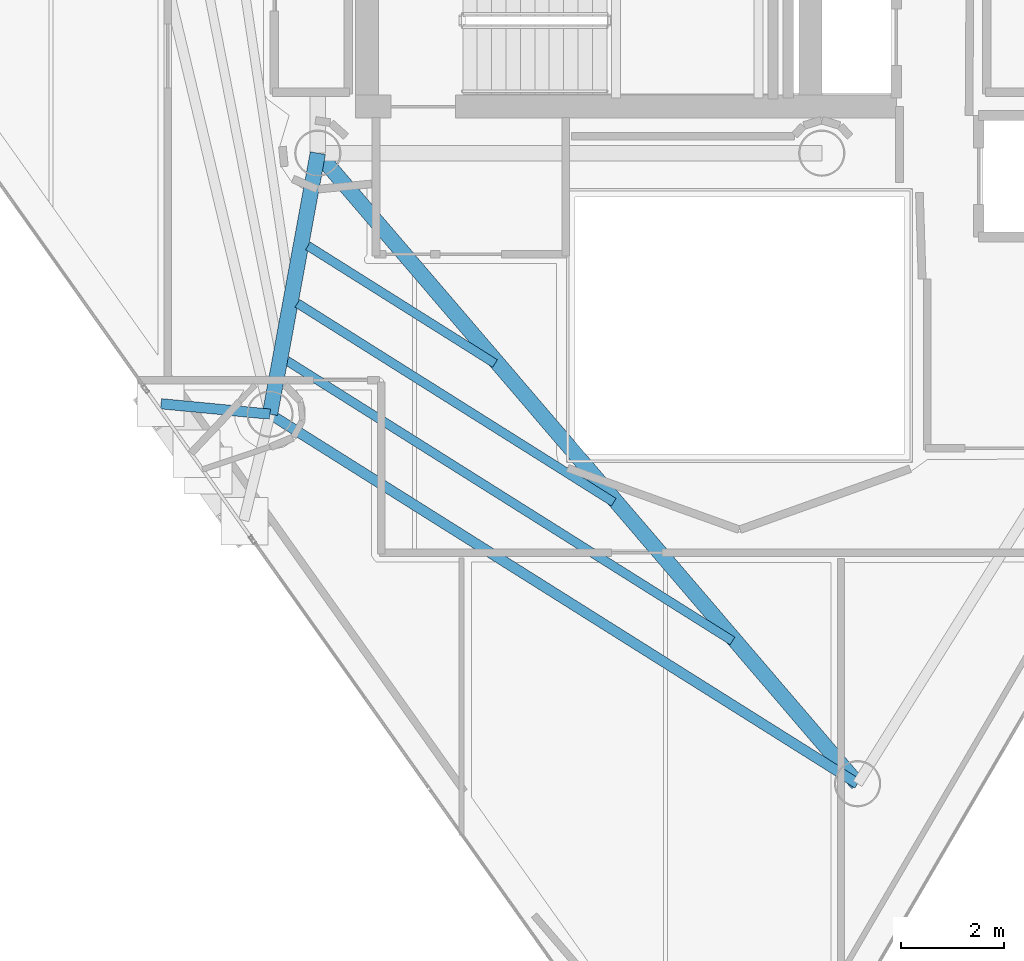
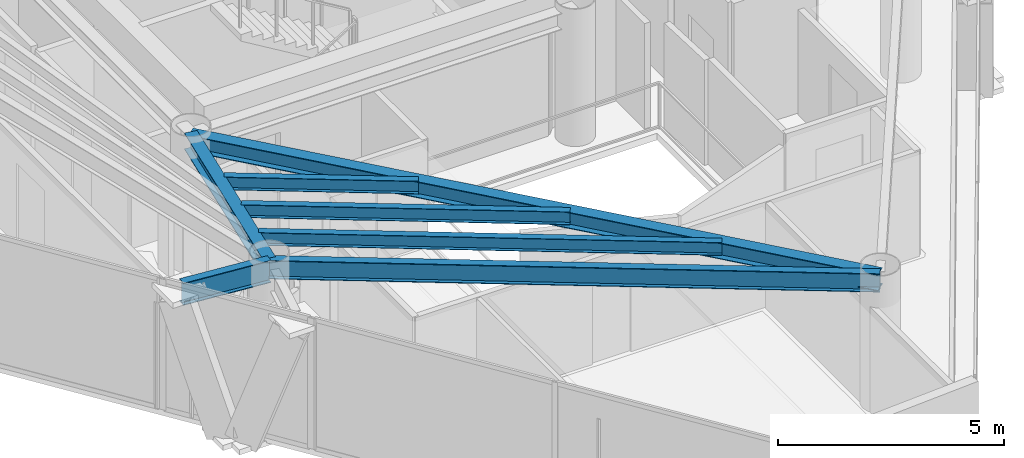
# One storey, part 3 of 22: 7 beams.
"""IFC4 building model written with IfcOpenShell, lengths in metres."""

from ifc_helpers import new_model, si_unit, direction, frame, origin, origin_2d, place, context, subcontext, project, spatial, i_section, extrude, material, material_profile, profile_set, type_object, element, save


model = new_model("IFC4")

# Units and contexts
model_context = context("Model", 3, precision=1e-05, world=origin(), true_north=direction((0.0, 1.0)))
body_context = subcontext(model_context, "Body", "Model", "MODEL_VIEW")
ifc_project = project(units=[si_unit("LENGTHUNIT", "METRE"), si_unit("AREAUNIT", "SQUARE_METRE"), si_unit("VOLUMEUNIT", "CUBIC_METRE"), si_unit("PLANEANGLEUNIT", "RADIAN"), si_unit("MASSUNIT", "GRAM", prefix="KILO")], contexts=[model_context])

# Site, building, storey
site_placement = place(None, origin())
site = spatial("IfcSite", under=ifc_project, at=site_placement, CompositionType="ELEMENT")
building_placement = place(site_placement, origin())
building = spatial("IfcBuilding", under=site, at=building_placement, Name="Qianvela Tower", CompositionType="ELEMENT")
storey_placement = place(building_placement, frame((0.0, 0.0, 299.10009765625)))
storey = spatial("IfcBuildingStorey", under=building, at=storey_placement, Name="L77", CompositionType="ELEMENT", Elevation=299.10009765625)

# Beams
ifc_material_1 = material(Name="Steel Q355B", Category="steel")
ifc_material_profile_1 = material_profile(ifc_material_1, i_section(OverallWidth=0.300048828125, OverallDepth=0.43994140625, WebThickness=0.010986328125, FlangeThickness=0.01806640625, at=origin_2d()), Name="HM440x300x11x18")
ifc_profile_set_1 = profile_set([ifc_material_profile_1], Name="Steel Q355B")
beam_type_1 = type_object("IfcBeamType", Name="BM-HM440-COLL", PredefinedType="BEAM", material=ifc_profile_set_1)
beam_1_placement = place(storey_placement, frame((28.60009765625, 23.85009765625, 3.2978515625), z_axis=(-0.180242432023, -0.983622216961, 0.0), x_axis=(0.983622216961, -0.180242432023, 0.0)))
element("IfcBeam", 1, at=beam_1_placement, inside=storey, type_object=beam_type_1, Name="L77 Radial Primary Floor Girder 4", PredefinedType="BEAM", context=body_context, shape_type="SweptSolid", body=[
    extrude(i_section(OverallWidth=0.300048828125, OverallDepth=0.43994140625, WebThickness=0.010986328125, FlangeThickness=0.01806640625, at=origin_2d()), origin(), (0.0, 0.0, 1.0), 5.16064453125),
])
beam_2_placement = place(storey_placement, frame((28.60009765625, 23.85009765625, 3.2978515625), z_axis=(0.650269293807, -0.75970378802, 0.0), x_axis=(0.75970378802, 0.650269293807, 0.0)))
element("IfcBeam", 2, at=beam_2_placement, inside=storey, type_object=beam_type_1, Name="L77 Radial Primary Floor Girder 5", PredefinedType="BEAM", context=body_context, shape_type="SweptSolid", body=[
    extrude(i_section(OverallWidth=0.300048828125, OverallDepth=0.43994140625, WebThickness=0.010986328125, FlangeThickness=0.01806640625, at=origin_2d()), origin(), (0.0, 0.0, 1.0), 16.140869140625),
])
ifc_material_2 = material(Name="Steel Q355B", Category="steel")
ifc_material_profile_2 = material_profile(ifc_material_2, i_section(OverallWidth=0.175048828125, OverallDepth=0.35009765625, WebThickness=0.007080078125, FlangeThickness=0.010986328125, at=origin_2d()), Name="HN350x175x7x11")
ifc_profile_set_2 = profile_set([ifc_material_profile_2], Name="Steel Q355B")
beam_type_2 = type_object("IfcBeamType", Name="BM-HN350-JOIST", PredefinedType="JOIST", material=ifc_profile_set_2)
beam_3_placement = place(storey_placement, frame((28.407470703125, 22.04638671875, 3.343017578125), z_axis=(0.846501223135, -0.532386775973, 0.0), x_axis=(0.532386775973, 0.846501223135, 0.0)))
element("IfcBeam", 3, at=beam_3_placement, inside=storey, type_object=beam_type_2, Name="L77 Secondary Composite Floor Joist 4.1", PredefinedType="JOIST", context=body_context, shape_type="SweptSolid", body=[
    extrude(i_section(OverallWidth=0.175048828125, OverallDepth=0.35009765625, WebThickness=0.007080078125, FlangeThickness=0.010986328125, at=origin_2d()), origin(), (0.0, 0.0, 1.0), 4.29736328125),
])
beam_4_placement = place(storey_placement, frame((28.202880859375, 20.9296875, 3.343017578125), z_axis=(0.846507641225, -0.532376570998, 0.0), x_axis=(0.532376570998, 0.846507641225, 0.0)))
element("IfcBeam", 4, at=beam_4_placement, inside=storey, type_object=beam_type_2, Name="L77 Secondary Composite Floor Joist 4.2", PredefinedType="JOIST", context=body_context, shape_type="SweptSolid", body=[
    extrude(i_section(OverallWidth=0.175048828125, OverallDepth=0.35009765625, WebThickness=0.007080078125, FlangeThickness=0.010986328125, at=origin_2d()), origin(), (0.0, 0.0, 1.0), 7.266845703125),
])
beam_5_placement = place(storey_placement, frame((27.998291015625, 19.81298828125, 3.343017578125), z_axis=(0.846499587038, -0.532389377377, 0.0), x_axis=(0.532389377377, 0.846499587038, 0.0)))
element("IfcBeam", 5, at=beam_5_placement, inside=storey, type_object=beam_type_2, Name="L77 Secondary Composite Floor Joist 4.3", PredefinedType="JOIST", context=body_context, shape_type="SweptSolid", body=[
    extrude(i_section(OverallWidth=0.175048828125, OverallDepth=0.35009765625, WebThickness=0.007080078125, FlangeThickness=0.010986328125, at=origin_2d()), origin(), (0.0, 0.0, 1.0), 10.236328125),
])
ifc_material_3 = material(Name="Steel Q355B", Category="steel")
ifc_material_profile_3 = material_profile(ifc_material_3, i_section(OverallWidth=0.199951171875, OverallDepth=0.5, WebThickness=0.010009765625, FlangeThickness=0.01611328125, at=origin_2d()), Name="HN500x200x10x16")
ifc_profile_set_3 = profile_set([ifc_material_profile_3], Name="Steel Q355B")
beam_type_3 = type_object("IfcBeamType", Name="BM-HN500-GIRD", PredefinedType="BEAM", material=ifc_profile_set_3)
beam_6_placement = place(storey_placement, frame((27.669921875, 18.77392578125, 3.267822265625), z_axis=(0.846504270846, -0.532381930046, 0.0), x_axis=(0.532381930046, 0.846504270846, 0.0)))
element("IfcBeam", 6, at=beam_6_placement, inside=storey, type_object=beam_type_3, Name="L77 Perimeter Ring Spandrel Girder 4", PredefinedType="BEAM", context=body_context, shape_type="SweptSolid", body=[
    extrude(i_section(OverallWidth=0.199951171875, OverallDepth=0.5, WebThickness=0.010009765625, FlangeThickness=0.01611328125, at=origin_2d()), origin(), (0.0, 0.0, 1.0), 13.497802734375),
])
ifc_material_4 = material(Name="Steel Q355B", Category="steel")
ifc_material_profile_4 = material_profile(ifc_material_4, i_section(OverallWidth=0.199951171875, OverallDepth=0.60009765625, WebThickness=0.010986328125, FlangeThickness=0.01708984375, at=origin_2d()), Name="HN600x200x11x17")
ifc_profile_set_4 = profile_set([ifc_material_profile_4], Name="Steel Q355B")
beam_type_4 = type_object("IfcBeamType", Name="BM-HN600-GIRD", PredefinedType="BEAM", material=ifc_profile_set_4)
beam_7_placement = place(storey_placement, frame((27.669921875, 18.77392578125, 3.218017578125), z_axis=(-0.995467069121, 0.095106857243, 0.0), x_axis=(-0.095106857243, -0.995467069121, 0.0)))
element("IfcBeam", 7, at=beam_7_placement, inside=storey, type_object=beam_type_4, Name="L77 Mega-Brace Column Tie Bracket F2-1", PredefinedType="BEAM", context=body_context, shape_type="SweptSolid", body=[
    extrude(i_section(OverallWidth=0.199951171875, OverallDepth=0.60009765625, WebThickness=0.010986328125, FlangeThickness=0.01708984375, at=origin_2d()), origin(), (0.0, 0.0, 1.0), 2.128173828125),
])

save(model, "model.ifc")
